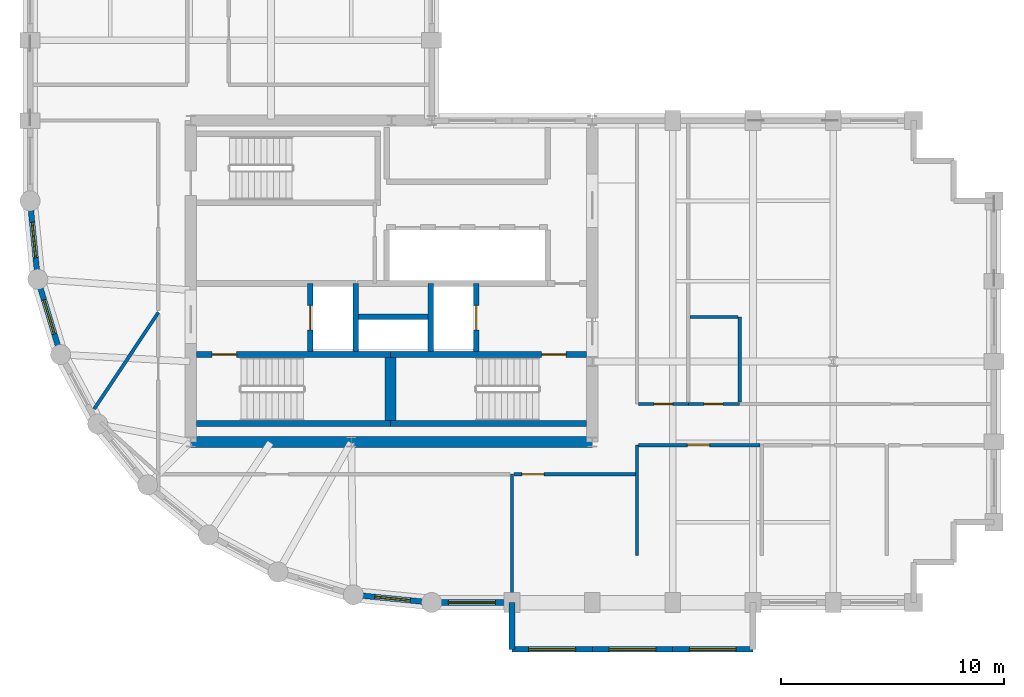
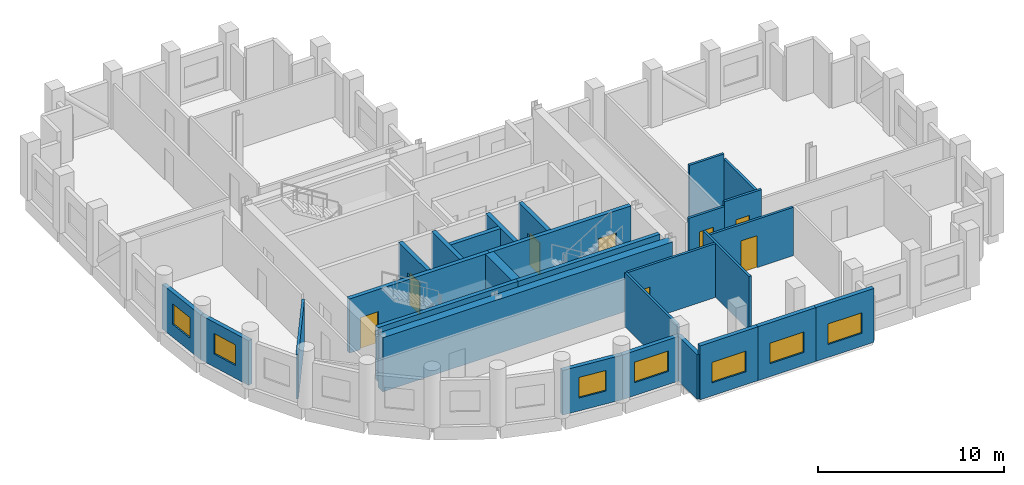
# One storey, part 3 of 7: 28 walls, 8 doors, 7 windows, 15 openings.
"""IFC4 building model written with IfcOpenShell, lengths in metres."""

from ifc_helpers import new_model, si_unit, direction, frame, frame_2d, origin, place, context, subcontext, project, spatial, rectangle, extrude, material, layer, layer_set, type_object, element, fill, save


model = new_model("IFC4")

# Units and contexts
model_context = context("Model", 3, precision=1e-05, world=origin(), true_north=direction((0.0, 1.0)))
body_context = subcontext(model_context, "Body", "Model", "MODEL_VIEW")
ifc_project = project(units=[si_unit("LENGTHUNIT", "METRE"), si_unit("AREAUNIT", "SQUARE_METRE"), si_unit("VOLUMEUNIT", "CUBIC_METRE"), si_unit("PLANEANGLEUNIT", "RADIAN"), si_unit("MASSUNIT", "GRAM", prefix="KILO")], contexts=[model_context])

# Site, building, storey
site_placement = place(None, origin())
site = spatial("IfcSite", under=ifc_project, at=site_placement, CompositionType="ELEMENT")
building_placement = place(site_placement, origin())
building = spatial("IfcBuilding", under=site, at=building_placement, Name="Solnavia Interchange Tower", CompositionType="ELEMENT")
storey_placement = place(building_placement, frame((0.0, 0.0, 201.39990234375)))
storey = spatial("IfcBuildingStorey", under=building, at=storey_placement, Name="L50", CompositionType="ELEMENT", Elevation=201.39990234375)

# Wall, opening, window
ifc_material_1 = material(Name="Concrete C40/50", Category="concrete")
ifc_layer_1 = layer(ifc_material_1, 0.25)
ifc_layer_set_1 = layer_set([ifc_layer_1], Name="Concrete C40/50")
wall_type_1 = type_object("IfcWallType", Name="Wall-ExtSpandrel-250", PredefinedType="STANDARD", material=ifc_layer_set_1)
wall_1_placement = place(storey_placement, frame((28.800048828125, 3.60009765625, 0.0), z_axis=(0.0, 0.0, 1.0), x_axis=(-1.0, 0.0, 0.0)))
wall_1 = element("IfcWall", 1, at=wall_1_placement, inside=storey, type_object=wall_type_1, Name="EXW-L50-01 Exterior precast spandrel wall", PredefinedType="STANDARD", context=body_context, shape_type="SweptSolid", body=[
    extrude(rectangle(XDim=3.60009765625, YDim=0.25, at=frame_2d((1.800048828125, 0.0))), origin(), (0.0, 0.0, 1.0), 2.93017578125),
])
opening_1_placement = place(wall_1_placement, frame((0.75, 0.0, 0.85009765625)))
opening_1 = element("IfcOpeningElement", 2, at=opening_1_placement, cuts=wall_1, Name="Opening WIN-01", PredefinedType="OPENING", context=body_context, shape_type="SweptSolid", body=[
    extrude(rectangle(XDim=2.10009765625, YDim=1.35009765625, at=frame_2d((1.050048828125, 0.675048828125))), frame((0.0, 0.135009765625, 0.0), z_axis=(0.0, -1.0, 0.0), x_axis=(1.0, 0.0, 0.0)), (0.0, 0.0, 1.0), 0.27001953125),
])
ifc_material_2 = material(Name="Thermal-Break Aluminium & Low-E Glass", Category="aluminium")
window_type_1 = type_object("IfcWindowType", Name="Window-Ribbon-2100x1350", PartitioningType="SINGLE_PANEL", PredefinedType="WINDOW", material=ifc_material_2)
window_1_placement = place(opening_1_placement, origin())
window_1 = element("IfcWindow", 3, at=window_1_placement, inside=storey, type_object=window_type_1, Name="WIN-L50-01 Facade ribbon window", OverallHeight=1.35009765625, OverallWidth=2.10009765625, PartitioningType="SINGLE_PANEL", PredefinedType="WINDOW", context=body_context, shape_type="SweptSolid", body=[
    extrude(rectangle(XDim=2.10009765625, YDim=1.35009765625, at=frame_2d((1.050048828125, 0.675048828125))), frame((0.0, 0.030029296875, 0.0), z_axis=(0.0, -1.0, 0.0), x_axis=(1.0, 0.0, 0.0)), (0.0, 0.0, 1.0), 0.06005859375),
])
fill(opening_1, window_1)

# Wall
wall_2_placement = place(storey_placement, frame((28.800048828125, 3.60009765625, 0.0), z_axis=(0.0, 0.0, 1.0), x_axis=(0.0, -1.0, 0.0)))
element("IfcWall", 4, at=wall_2_placement, inside=storey, type_object=wall_type_1, Name="EXW-L50-02 Exterior precast spandrel wall", PredefinedType="STANDARD", context=body_context, shape_type="SweptSolid", body=[
    extrude(rectangle(XDim=2.10009765625, YDim=0.25, at=frame_2d((1.050048828125, 0.0))), origin(), (0.0, 0.0, 1.0), 2.93017578125),
])

# Wall, opening, window
wall_3_placement = place(storey_placement, frame((32.39990234375, 1.5, 0.0), z_axis=(0.0, 0.0, 1.0), x_axis=(-1.0, 0.0, 0.0)))
wall_3 = element("IfcWall", 5, at=wall_3_placement, inside=storey, type_object=wall_type_1, Name="EXW-L50-03 Exterior precast spandrel wall", PredefinedType="STANDARD", context=body_context, shape_type="SweptSolid", body=[
    extrude(rectangle(XDim=3.599853515625, YDim=0.25, at=frame_2d((1.7998046875, 0.0))), origin(), (0.0, 0.0, 1.0), 3.53515625),
])
opening_2_placement = place(wall_3_placement, frame((0.75, 0.0, 0.85009765625)))
opening_2 = element("IfcOpeningElement", 6, at=opening_2_placement, cuts=wall_3, Name="Opening WIN-01", PredefinedType="OPENING", context=body_context, shape_type="SweptSolid", body=[
    extrude(rectangle(XDim=2.10009765625, YDim=1.35009765625, at=frame_2d((1.050048828125, 0.675048828125))), frame((0.0, 0.135009765625, 0.0), z_axis=(0.0, -1.0, 0.0), x_axis=(1.0, 0.0, 0.0)), (0.0, 0.0, 1.0), 0.27001953125),
])
window_2_placement = place(opening_2_placement, origin())
window_2 = element("IfcWindow", 7, at=window_2_placement, inside=storey, type_object=window_type_1, Name="WIN-L50-03 Facade ribbon window", OverallHeight=1.35009765625, OverallWidth=2.10009765625, PartitioningType="SINGLE_PANEL", PredefinedType="WINDOW", context=body_context, shape_type="SweptSolid", body=[
    extrude(rectangle(XDim=2.10009765625, YDim=1.35009765625, at=frame_2d((1.050048828125, 0.675048828125))), frame((0.0, 0.030029296875, 0.0), z_axis=(0.0, -1.0, 0.0), x_axis=(1.0, 0.0, 0.0)), (0.0, 0.0, 1.0), 0.06005859375),
])
fill(opening_2, window_2)

wall_4_placement = place(storey_placement, frame((36.0, 1.5, 0.0), z_axis=(0.0, 0.0, 1.0), x_axis=(-1.0, 0.0, 0.0)))
wall_4 = element("IfcWall", 8, at=wall_4_placement, inside=storey, type_object=wall_type_1, Name="EXW-L50-04 Exterior precast spandrel wall", PredefinedType="STANDARD", context=body_context, shape_type="SweptSolid", body=[
    extrude(rectangle(XDim=3.60009765625, YDim=0.25, at=frame_2d((1.800048828125, 0.0))), origin(), (0.0, 0.0, 1.0), 3.53515625),
])
opening_3_placement = place(wall_4_placement, frame((0.75, 0.0, 0.85009765625)))
opening_3 = element("IfcOpeningElement", 9, at=opening_3_placement, cuts=wall_4, Name="Opening WIN-01", PredefinedType="OPENING", context=body_context, shape_type="SweptSolid", body=[
    extrude(rectangle(XDim=2.10009765625, YDim=1.35009765625, at=frame_2d((1.050048828125, 0.675048828125))), frame((0.0, 0.135009765625, 0.0), z_axis=(0.0, -1.0, 0.0), x_axis=(1.0, 0.0, 0.0)), (0.0, 0.0, 1.0), 0.27001953125),
])
window_3_placement = place(opening_3_placement, origin())
window_3 = element("IfcWindow", 10, at=window_3_placement, inside=storey, type_object=window_type_1, Name="WIN-L50-04 Facade ribbon window", OverallHeight=1.35009765625, OverallWidth=2.10009765625, PartitioningType="SINGLE_PANEL", PredefinedType="WINDOW", context=body_context, shape_type="SweptSolid", body=[
    extrude(rectangle(XDim=2.10009765625, YDim=1.35009765625, at=frame_2d((1.050048828125, 0.675048828125))), frame((0.0, 0.030029296875, 0.0), z_axis=(0.0, -1.0, 0.0), x_axis=(1.0, 0.0, 0.0)), (0.0, 0.0, 1.0), 0.06005859375),
])
fill(opening_3, window_3)

wall_5_placement = place(storey_placement, frame((39.60009765625, 1.5, 0.0), z_axis=(0.0, 0.0, 1.0), x_axis=(-1.0, 0.0, 0.0)))
wall_5 = element("IfcWall", 11, at=wall_5_placement, inside=storey, type_object=wall_type_1, Name="EXW-L50-05 Exterior precast spandrel wall", PredefinedType="STANDARD", context=body_context, shape_type="SweptSolid", body=[
    extrude(rectangle(XDim=3.60009765625, YDim=0.25, at=frame_2d((1.800048828125, 0.0))), origin(), (0.0, 0.0, 1.0), 3.53515625),
])
opening_4_placement = place(wall_5_placement, frame((0.75, 0.0, 0.85009765625)))
opening_4 = element("IfcOpeningElement", 12, at=opening_4_placement, cuts=wall_5, Name="Opening WIN-01", PredefinedType="OPENING", context=body_context, shape_type="SweptSolid", body=[
    extrude(rectangle(XDim=2.10009765625, YDim=1.35009765625, at=frame_2d((1.050048828125, 0.675048828125))), frame((0.0, 0.135009765625, 0.0), z_axis=(0.0, -1.0, 0.0), x_axis=(1.0, 0.0, 0.0)), (0.0, 0.0, 1.0), 0.27001953125),
])
window_4_placement = place(opening_4_placement, origin())
window_4 = element("IfcWindow", 13, at=window_4_placement, inside=storey, type_object=window_type_1, Name="WIN-L50-05 Facade ribbon window", OverallHeight=1.35009765625, OverallWidth=2.10009765625, PartitioningType="SINGLE_PANEL", PredefinedType="WINDOW", context=body_context, shape_type="SweptSolid", body=[
    extrude(rectangle(XDim=2.10009765625, YDim=1.35009765625, at=frame_2d((1.050048828125, 0.675048828125))), frame((0.0, 0.030029296875, 0.0), z_axis=(0.0, -1.0, 0.0), x_axis=(1.0, 0.0, 0.0)), (0.0, 0.0, 1.0), 0.06005859375),
])
fill(opening_4, window_4)

wall_6_placement = place(storey_placement, frame((7.5458984375, 18.087890625, 0.0), z_axis=(0.0, 0.0, 1.0), x_axis=(-0.09802417461, 0.995184033831, 0.0)))
wall_6 = element("IfcWall", 14, at=wall_6_placement, inside=storey, type_object=wall_type_1, Name="EXW-L50-45 Exterior precast spandrel wall", PredefinedType="STANDARD", context=body_context, shape_type="SweptSolid", body=[
    extrude(rectangle(XDim=3.529296875, YDim=0.25, at=frame_2d((1.7646484375, 0.0))), origin(), (0.0, 0.0, 1.0), 2.93017578125),
])
opening_5_placement = place(wall_6_placement, frame((0.965087890625, 0.0, 0.85009765625)))
opening_5 = element("IfcOpeningElement", 15, at=opening_5_placement, cuts=wall_6, Name="Opening WIN-04", PredefinedType="OPENING", context=body_context, shape_type="SweptSolid", body=[
    extrude(rectangle(XDim=1.60009765625, YDim=1.35009765625, at=frame_2d((0.800048828125, 0.675048828125))), frame((0.0, 0.135009765625, 0.0), z_axis=(0.0, -1.0, 0.0), x_axis=(1.0, 0.0, 0.0)), (0.0, 0.0, 1.0), 0.27001953125),
])
window_type_2 = type_object("IfcWindowType", Name="Window-Drum-1600x1350", PartitioningType="SINGLE_PANEL", PredefinedType="WINDOW", material=ifc_material_2)
window_5_placement = place(opening_5_placement, origin())
window_5 = element("IfcWindow", 16, at=window_5_placement, inside=storey, type_object=window_type_2, Name="WIN-L50-45 Facade ribbon window", OverallHeight=1.35009765625, OverallWidth=1.60009765625, PartitioningType="SINGLE_PANEL", PredefinedType="WINDOW", context=body_context, shape_type="SweptSolid", body=[
    extrude(rectangle(XDim=1.60009765625, YDim=1.35009765625, at=frame_2d((0.800048828125, 0.675048828125))), frame((0.0, 0.030029296875, 0.0), z_axis=(0.0, -1.0, 0.0), x_axis=(1.0, 0.0, 0.0)), (0.0, 0.0, 1.0), 0.06005859375),
])
fill(opening_5, window_5)

wall_7_placement = place(storey_placement, frame((8.570068359375, 14.7119140625, 0.0), z_axis=(0.0, 0.0, 1.0), x_axis=(-0.290305086481, 0.956934144423, 0.0)))
wall_7 = element("IfcWall", 17, at=wall_7_placement, inside=storey, type_object=wall_type_1, Name="EXW-L50-46 Exterior precast spandrel wall", PredefinedType="STANDARD", context=body_context, shape_type="SweptSolid", body=[
    extrude(rectangle(XDim=3.52783203125, YDim=0.25, at=frame_2d((1.763916015625, 0.0))), origin(), (0.0, 0.0, 1.0), 2.93017578125),
])
opening_6_placement = place(wall_7_placement, frame((0.964111328125, 0.0, 0.85009765625)))
opening_6 = element("IfcOpeningElement", 18, at=opening_6_placement, cuts=wall_7, Name="Opening WIN-04", PredefinedType="OPENING", context=body_context, shape_type="SweptSolid", body=[
    extrude(rectangle(XDim=1.60009765625, YDim=1.35009765625, at=frame_2d((0.800048828125, 0.675048828125))), frame((0.0, 0.135009765625, 0.0), z_axis=(0.0, -1.0, 0.0), x_axis=(1.0, 0.0, 0.0)), (0.0, 0.0, 1.0), 0.27001953125),
])
window_6_placement = place(opening_6_placement, origin())
window_6 = element("IfcWindow", 19, at=window_6_placement, inside=storey, type_object=window_type_2, Name="WIN-L50-46 Facade ribbon window", OverallHeight=1.35009765625, OverallWidth=1.60009765625, PartitioningType="SINGLE_PANEL", PredefinedType="WINDOW", context=body_context, shape_type="SweptSolid", body=[
    extrude(rectangle(XDim=1.60009765625, YDim=1.35009765625, at=frame_2d((0.800048828125, 0.675048828125))), frame((0.0, 0.030029296875, 0.0), z_axis=(0.0, -1.0, 0.0), x_axis=(1.0, 0.0, 0.0)), (0.0, 0.0, 1.0), 0.06005859375),
])
fill(opening_6, window_6)

wall_8_placement = place(storey_placement, frame((25.199951171875, 3.60009765625, 0.0), z_axis=(0.0, 0.0, 1.0), x_axis=(-0.995183369056, 0.098030923459, 0.0)))
wall_8 = element("IfcWall", 20, at=wall_8_placement, inside=storey, type_object=wall_type_1, Name="EXW-L50-52 Exterior precast spandrel wall", PredefinedType="STANDARD", context=body_context, shape_type="SweptSolid", body=[
    extrude(rectangle(XDim=3.529052734375, YDim=0.25, at=frame_2d((1.7646484375, 0.0))), origin(), (0.0, 0.0, 1.0), 2.93017578125),
])
opening_7_placement = place(wall_8_placement, frame((0.965087890625, 0.0, 0.85009765625)))
opening_7 = element("IfcOpeningElement", 21, at=opening_7_placement, cuts=wall_8, Name="Opening WIN-04", PredefinedType="OPENING", context=body_context, shape_type="SweptSolid", body=[
    extrude(rectangle(XDim=1.60009765625, YDim=1.35009765625, at=frame_2d((0.800048828125, 0.675048828125))), frame((0.0, 0.135009765625, 0.0), z_axis=(0.0, -1.0, 0.0), x_axis=(1.0, 0.0, 0.0)), (0.0, 0.0, 1.0), 0.27001953125),
])
window_7_placement = place(opening_7_placement, origin())
window_7 = element("IfcWindow", 22, at=window_7_placement, inside=storey, type_object=window_type_2, Name="WIN-L50-52 Facade ribbon window", OverallHeight=1.35009765625, OverallWidth=1.60009765625, PartitioningType="SINGLE_PANEL", PredefinedType="WINDOW", context=body_context, shape_type="SweptSolid", body=[
    extrude(rectangle(XDim=1.60009765625, YDim=1.35009765625, at=frame_2d((0.800048828125, 0.675048828125))), frame((0.0, 0.030029296875, 0.0), z_axis=(0.0, -1.0, 0.0), x_axis=(1.0, 0.0, 0.0)), (0.0, 0.0, 1.0), 0.06005859375),
])
fill(opening_7, window_7)

# Walls
ifc_material_3 = material(Name="Gypsum Plasterboard & Steel Stud", Category="steel")
ifc_layer_2 = layer(ifc_material_3, 0.14990234375)
ifc_layer_set_2 = layer_set([ifc_layer_2], Name="Gypsum Plasterboard & Steel Stud")
wall_type_2 = type_object("IfcWallType", Name="Wall-Partition-150", PredefinedType="PARTITIONING", material=ifc_layer_set_2)
wall_9_placement = place(storey_placement, frame((28.800048828125, 9.35009765625, 0.0), z_axis=(0.0, 0.0, 1.0), x_axis=(0.0, -1.0, 0.0)))
element("IfcWall", 23, at=wall_9_placement, inside=storey, type_object=wall_type_2, Name="PTW-L50-08 Interior partition wall", PredefinedType="PARTITIONING", context=body_context, shape_type="SweptSolid", body=[
    extrude(rectangle(XDim=5.62109375, YDim=0.14990234375, at=frame_2d((2.810546875, 0.0))), origin(), (0.0, 0.0, 1.0), 3.53515625),
])
wall_10_placement = place(storey_placement, frame((12.949951171875, 16.60009765625, 0.0), z_axis=(0.0, 0.0, 1.0), x_axis=(-0.553277952429, -0.832996703088, 0.0)))
element("IfcWall", 24, at=wall_10_placement, inside=storey, type_object=wall_type_2, Name="PTW-L50-10 Interior partition wall", PredefinedType="PARTITIONING", context=body_context, shape_type="SweptSolid", body=[
    extrude(rectangle(XDim=5.1923828125, YDim=0.14990234375, at=frame_2d((2.59619140625, 0.0))), origin(), (0.0, 0.0, 1.0), 2.93017578125),
])

# Wall, opening, door
wall_11_placement = place(storey_placement, frame((28.87890625, 9.35009765625, 0.0), z_axis=(0.0, 0.0, 1.0), x_axis=(1.0, 0.0, 0.0)))
wall_11 = element("IfcWall", 25, at=wall_11_placement, inside=storey, type_object=wall_type_2, Name="PTW-L50-14 Interior partition wall", PredefinedType="PARTITIONING", context=body_context, shape_type="SweptSolid", body=[
    extrude(rectangle(XDim=5.52099609375, YDim=0.14990234375, at=frame_2d((2.760498046875, 0.0))), origin(), (0.0, 0.0, 1.0), 3.53515625),
])
opening_8_placement = place(wall_11_placement, frame((0.360107421875, 0.0, 0.0)))
opening_8 = element("IfcOpeningElement", 26, at=opening_8_placement, cuts=wall_11, Name="Opening DR-07", PredefinedType="OPENING", context=body_context, shape_type="SweptSolid", body=[
    extrude(rectangle(XDim=1.0, YDim=2.10009765625, at=frame_2d((0.5, 1.050048828125))), frame((0.0, 0.0849609375, 0.0), z_axis=(0.0, -1.0, 0.0), x_axis=(1.0, 0.0, 0.0)), (0.0, 0.0, 1.0), 0.169921875),
])
ifc_material_4 = material(Name="Timber & Acoustic Glazed Office Door", Category="wood")
door_type_1 = type_object("IfcDoorType", Name="Door-Office-1000x2100", OperationType="SINGLE_SWING_RIGHT", PredefinedType="DOOR", material=ifc_material_4)
door_1_placement = place(opening_8_placement, origin())
door_1 = element("IfcDoor", 27, at=door_1_placement, inside=storey, type_object=door_type_1, Name="DR-L50-06 Interior room door", OperationType="SINGLE_SWING_LEFT", OverallHeight=2.10009765625, OverallWidth=1.0, PredefinedType="DOOR", context=body_context, shape_type="SweptSolid", body=[
    extrude(rectangle(XDim=1.0, YDim=2.10009765625, at=frame_2d((0.5, 1.050048828125))), frame((0.0, 0.02490234375, 0.0), z_axis=(0.0, -1.0, 0.0), x_axis=(1.0, 0.0, 0.0)), (0.0, 0.0, 1.0), 0.050048828125),
])
fill(opening_8, door_1)

# Wall
wall_12_placement = place(storey_placement, frame((34.39990234375, 5.699951171875, 0.0), z_axis=(0.0, 0.0, 1.0), x_axis=(0.0, 1.0, 0.0)))
element("IfcWall", 28, at=wall_12_placement, inside=storey, type_object=wall_type_2, Name="PTW-L50-15 Interior partition wall", PredefinedType="PARTITIONING", context=body_context, shape_type="SweptSolid", body=[
    extrude(rectangle(XDim=4.949951171875, YDim=0.14990234375, at=frame_2d((2.47509765625, 0.0))), origin(), (0.0, 0.0, 1.0), 3.53515625),
])

# Wall, opening, door
wall_13_placement = place(storey_placement, frame((34.47900390625, 10.64990234375, 0.0), z_axis=(0.0, 0.0, 1.0), x_axis=(1.0, 0.0, 0.0)))
wall_13 = element("IfcWall", 29, at=wall_13_placement, inside=storey, type_object=wall_type_2, Name="PTW-L50-17 Interior partition wall", PredefinedType="PARTITIONING", context=body_context, shape_type="SweptSolid", body=[
    extrude(rectangle(XDim=5.44189453125, YDim=0.14990234375, at=frame_2d((2.720947265625, 0.0))), origin(), (0.0, 0.0, 1.0), 3.170166015625),
])
opening_9_placement = place(wall_13_placement, frame((2.180908203125, 0.0, 0.0)))
opening_9 = element("IfcOpeningElement", 30, at=opening_9_placement, cuts=wall_13, Name="Opening DR-07", PredefinedType="OPENING", context=body_context, shape_type="SweptSolid", body=[
    extrude(rectangle(XDim=1.0, YDim=2.10009765625, at=frame_2d((0.5, 1.050048828125))), frame((0.0, 0.0849609375, 0.0), z_axis=(0.0, -1.0, 0.0), x_axis=(1.0, 0.0, 0.0)), (0.0, 0.0, 1.0), 0.169921875),
])
door_2_placement = place(opening_9_placement, origin())
door_2 = element("IfcDoor", 31, at=door_2_placement, inside=storey, type_object=door_type_1, Name="DR-L50-07 Interior room door", OperationType="SINGLE_SWING_LEFT", OverallHeight=2.10009765625, OverallWidth=1.0, PredefinedType="DOOR", context=body_context, shape_type="SweptSolid", body=[
    extrude(rectangle(XDim=1.0, YDim=2.10009765625, at=frame_2d((0.5, 1.050048828125))), frame((0.0, 0.02490234375, 0.0), z_axis=(0.0, -1.0, 0.0), x_axis=(1.0, 0.0, 0.0)), (0.0, 0.0, 1.0), 0.050048828125),
])
fill(opening_9, door_2)

# Wall
ifc_layer_3 = layer(ifc_material_1, 0.25)
ifc_layer_set_3 = layer_set([ifc_layer_3], Name="Concrete C40/50")
wall_type_3 = type_object("IfcWallType", Name="Wall-ShaftCore-250", PredefinedType="SHEAR", material=ifc_layer_set_3)
wall_14_placement = place(storey_placement, frame((14.64990234375, 11.625, 0.0), z_axis=(0.0, 0.0, 1.0), x_axis=(1.0, 0.0, 0.0)))
element("IfcWall", 32, at=wall_14_placement, inside=storey, type_object=wall_type_3, Name="SHW-L50-ST1S Core shear wall", PredefinedType="SHEAR", context=body_context, shape_type="SweptSolid", body=[
    extrude(rectangle(XDim=8.7001953125, YDim=0.25, at=frame_2d((4.35009765625, 0.0))), origin(), (0.0, 0.0, 1.0), 3.550048828125),
])

# Wall, opening, door
wall_15_placement = place(storey_placement, frame((14.64990234375, 14.715087890625, 0.0), z_axis=(0.0, 0.0, 1.0), x_axis=(1.0, 0.0, 0.0)))
wall_15 = element("IfcWall", 33, at=wall_15_placement, inside=storey, type_object=wall_type_3, Name="SHW-L50-ST1N Core shear wall", PredefinedType="SHEAR", context=body_context, shape_type="SweptSolid", body=[
    extrude(rectangle(XDim=8.7001953125, YDim=0.25, at=frame_2d((4.35009765625, 0.0))), origin(), (0.0, 0.0, 1.0), 3.550048828125),
])
opening_10_placement = place(wall_15_placement, frame((0.705078125, 0.0, 0.0)))
opening_10 = element("IfcOpeningElement", 34, at=opening_10_placement, cuts=wall_15, Name="Opening DR-01", PredefinedType="OPENING", context=body_context, shape_type="SweptSolid", body=[
    extrude(rectangle(XDim=1.10009765625, YDim=2.10009765625, at=frame_2d((0.550048828125, 1.050048828125))), frame((0.0, 0.135009765625, 0.0), z_axis=(0.0, -1.0, 0.0), x_axis=(1.0, 0.0, 0.0)), (0.0, 0.0, 1.0), 0.27001953125),
])
ifc_material_5 = material(Name="Steel Fire-Rated Leaf & Frame", Category="steel")
door_type_2 = type_object("IfcDoorType", Name="Door-StairFire-1100x2100", OperationType="SINGLE_SWING_LEFT", PredefinedType="DOOR", material=ifc_material_5)
door_3_placement = place(opening_10_placement, origin())
door_3 = element("IfcDoor", 35, at=door_3_placement, inside=storey, type_object=door_type_2, Name="DR-L50-ST1 Core fire door", OperationType="SINGLE_SWING_LEFT", OverallHeight=2.10009765625, OverallWidth=1.10009765625, PredefinedType="DOOR", context=body_context, shape_type="SweptSolid", body=[
    extrude(rectangle(XDim=1.10009765625, YDim=2.10009765625, at=frame_2d((0.550048828125, 1.050048828125))), frame((0.0, 0.02490234375, 0.0), z_axis=(0.0, -1.0, 0.0), x_axis=(1.0, 0.0, 0.0)), (0.0, 0.0, 1.0), 0.050048828125),
])
fill(opening_10, door_3)

# Wall
wall_16_placement = place(storey_placement, frame((23.35009765625, 11.625, 0.0), z_axis=(0.0, 0.0, 1.0), x_axis=(1.0, 0.0, 0.0)))
element("IfcWall", 36, at=wall_16_placement, inside=storey, type_object=wall_type_3, Name="SHW-L50-ST2S Core shear wall", PredefinedType="SHEAR", context=body_context, shape_type="SweptSolid", body=[
    extrude(rectangle(XDim=8.7998046875, YDim=0.25, at=frame_2d((4.39990234375, 0.0))), origin(), (0.0, 0.0, 1.0), 3.550048828125),
])

# Wall, opening, door
wall_17_placement = place(storey_placement, frame((23.35009765625, 14.715087890625, 0.0), z_axis=(0.0, 0.0, 1.0), x_axis=(1.0, 0.0, 0.0)))
wall_17 = element("IfcWall", 37, at=wall_17_placement, inside=storey, type_object=wall_type_3, Name="SHW-L50-ST2N Core shear wall", PredefinedType="SHEAR", context=body_context, shape_type="SweptSolid", body=[
    extrude(rectangle(XDim=8.7998046875, YDim=0.25, at=frame_2d((4.39990234375, 0.0))), origin(), (0.0, 0.0, 1.0), 3.550048828125),
])
opening_11_placement = place(wall_17_placement, frame((6.77490234375, 0.0, 0.0)))
opening_11 = element("IfcOpeningElement", 38, at=opening_11_placement, cuts=wall_17, Name="Opening DR-01", PredefinedType="OPENING", context=body_context, shape_type="SweptSolid", body=[
    extrude(rectangle(XDim=1.10009765625, YDim=2.10009765625, at=frame_2d((0.550048828125, 1.050048828125))), frame((0.0, 0.135009765625, 0.0), z_axis=(0.0, -1.0, 0.0), x_axis=(1.0, 0.0, 0.0)), (0.0, 0.0, 1.0), 0.27001953125),
])
door_4_placement = place(opening_11_placement, origin())
door_4 = element("IfcDoor", 39, at=door_4_placement, inside=storey, type_object=door_type_2, Name="DR-L50-ST2 Core fire door", OperationType="SINGLE_SWING_LEFT", OverallHeight=2.10009765625, OverallWidth=1.10009765625, PredefinedType="DOOR", context=body_context, shape_type="SweptSolid", body=[
    extrude(rectangle(XDim=1.10009765625, YDim=2.10009765625, at=frame_2d((0.550048828125, 1.050048828125))), frame((0.0, 0.02490234375, 0.0), z_axis=(0.0, -1.0, 0.0), x_axis=(1.0, 0.0, 0.0)), (0.0, 0.0, 1.0), 0.050048828125),
])
fill(opening_11, door_4)

ifc_layer_4 = layer(ifc_material_1, 0.25)
ifc_layer_set_4 = layer_set([ifc_layer_4], Name="Concrete C40/50")
wall_type_4 = type_object("IfcWallType", Name="Wall-ShaftPart-250", PredefinedType="PARTITIONING", material=ifc_layer_set_4)
wall_18_placement = place(storey_placement, frame((19.75, 14.840087890625, 0.0), z_axis=(0.0, 0.0, 1.0), x_axis=(0.0, 1.0, 0.0)))
wall_18 = element("IfcWall", 40, at=wall_18_placement, inside=storey, type_object=wall_type_4, Name="SHW-L50-FFL1-W Core shaft wall", PredefinedType="PARTITIONING", context=body_context, shape_type="SweptSolid", body=[
    extrude(rectangle(XDim=3.059814453125, YDim=0.25, at=frame_2d((1.52978515625, 0.0))), origin(), (0.0, 0.0, 1.0), 3.53515625),
])
opening_12_placement = place(wall_18_placement, frame((0.97998046875, 0.0, 0.0)))
opening_12 = element("IfcOpeningElement", 41, at=opening_12_placement, cuts=wall_18, Name="Opening LD-01", PredefinedType="OPENING", context=body_context, shape_type="SweptSolid", body=[
    extrude(rectangle(XDim=1.10009765625, YDim=2.10009765625, at=frame_2d((0.550048828125, 1.050048828125))), frame((0.0, 0.135009765625, 0.0), z_axis=(0.0, -1.0, 0.0), x_axis=(1.0, 0.0, 0.0)), (0.0, 0.0, 1.0), 0.27001953125),
])
ifc_material_6 = material(Name="Brushed Stainless Steel Sliding Door", Category="steel")
door_type_3 = type_object("IfcDoorType", Name="Door-LiftLanding-1100x2100", OperationType="SLIDING_TO_LEFT", PredefinedType="DOOR", material=ifc_material_6)
door_5_placement = place(opening_12_placement, origin())
door_5 = element("IfcDoor", 42, at=door_5_placement, inside=storey, type_object=door_type_3, Name="LD-L50-FFL1 Lift landing sliding door", OperationType="SLIDING_TO_LEFT", OverallHeight=2.10009765625, OverallWidth=1.10009765625, PredefinedType="DOOR", context=body_context, shape_type="SweptSolid", body=[
    extrude(rectangle(XDim=1.10009765625, YDim=2.10009765625, at=frame_2d((0.550048828125, 1.050048828125))), frame((0.0, 0.02490234375, 0.0), z_axis=(0.0, -1.0, 0.0), x_axis=(1.0, 0.0, 0.0)), (0.0, 0.0, 1.0), 0.050048828125),
])
fill(opening_12, door_5)

# Walls
for number, where, z_axis, x_axis, name in (
    (43, (21.800048828125, 14.840087890625, 0.0), (0.0, 0.0, 1.0), (0.0, 1.0, 0.0), "SHW-L50-FFL1-E Core shaft wall"),
    (44, (25.14990234375, 14.840087890625, 0.0), (0.0, 0.0, 1.0), (0.0, 1.0, 0.0), "SHW-L50-FFL2-W Core shaft wall"),
):
    element("IfcWall", number, at=place(storey_placement, frame(where, z_axis=z_axis, x_axis=x_axis)), inside=storey, type_object=wall_type_4, Name=name, PredefinedType="PARTITIONING", context=body_context, shape_type="SweptSolid", body=[
        extrude(rectangle(XDim=3.059814453125, YDim=0.25, at=frame_2d((1.52978515625, 0.0))), origin(), (0.0, 0.0, 1.0), 3.53515625),
    ])

# Wall, opening, door
wall_19_placement = place(storey_placement, frame((27.199951171875, 14.840087890625, 0.0), z_axis=(0.0, 0.0, 1.0), x_axis=(0.0, 1.0, 0.0)))
wall_19 = element("IfcWall", 45, at=wall_19_placement, inside=storey, type_object=wall_type_4, Name="SHW-L50-FFL2-E Core shaft wall", PredefinedType="PARTITIONING", context=body_context, shape_type="SweptSolid", body=[
    extrude(rectangle(XDim=3.059814453125, YDim=0.25, at=frame_2d((1.52978515625, 0.0))), origin(), (0.0, 0.0, 1.0), 3.53515625),
])
opening_13_placement = place(wall_19_placement, frame((0.97998046875, 0.0, 0.0)))
opening_13 = element("IfcOpeningElement", 46, at=opening_13_placement, cuts=wall_19, Name="Opening LD-01", PredefinedType="OPENING", context=body_context, shape_type="SweptSolid", body=[
    extrude(rectangle(XDim=1.10009765625, YDim=2.10009765625, at=frame_2d((0.550048828125, 1.050048828125))), frame((0.0, 0.135009765625, 0.0), z_axis=(0.0, -1.0, 0.0), x_axis=(1.0, 0.0, 0.0)), (0.0, 0.0, 1.0), 0.27001953125),
])
door_6_placement = place(opening_13_placement, origin())
door_6 = element("IfcDoor", 47, at=door_6_placement, inside=storey, type_object=door_type_3, Name="LD-L50-FFL2 Lift landing sliding door", OperationType="SLIDING_TO_LEFT", OverallHeight=2.10009765625, OverallWidth=1.10009765625, PredefinedType="DOOR", context=body_context, shape_type="SweptSolid", body=[
    extrude(rectangle(XDim=1.10009765625, YDim=2.10009765625, at=frame_2d((0.550048828125, 1.050048828125))), frame((0.0, 0.02490234375, 0.0), z_axis=(0.0, -1.0, 0.0), x_axis=(1.0, 0.0, 0.0)), (0.0, 0.0, 1.0), 0.050048828125),
])
fill(opening_13, door_6)

# Walls
wall_20_placement = place(storey_placement, frame((21.800048828125, 16.39990234375, 0.0), z_axis=(0.0, 0.0, 1.0), x_axis=(1.0, 0.0, 0.0)))
element("IfcWall", 48, at=wall_20_placement, inside=storey, type_object=wall_type_4, Name="SHW-L50-MEP-N Core shaft wall", PredefinedType="PARTITIONING", context=body_context, shape_type="SweptSolid", body=[
    extrude(rectangle(XDim=3.349853515625, YDim=0.25, at=frame_2d((1.6748046875, 0.0))), origin(), (0.0, 0.0, 1.0), 3.53515625),
])
ifc_material_7 = material(Name="Concrete C60/75", Category="concrete")
ifc_layer_5 = layer(ifc_material_7, 0.5)
ifc_layer_set_5 = layer_set([ifc_layer_5], Name="Concrete C60/75")
wall_type_5 = type_object("IfcWallType", Name="Wall-ShearCore-500", PredefinedType="SHEAR", material=ifc_layer_set_5)
wall_21_placement = place(storey_placement, frame((14.39990234375, 10.800048828125, 0.0), z_axis=(0.0, 0.0, 1.0), x_axis=(1.0, 0.0, 0.0)))
element("IfcWall", 49, at=wall_21_placement, inside=storey, type_object=wall_type_5, Name="CRW-L50-S Core shear wall", PredefinedType="SHEAR", context=body_context, shape_type="SweptSolid", body=[
    extrude(rectangle(XDim=18.0, YDim=0.5, at=frame_2d((9.0, 0.0))), origin(), (0.0, 0.0, 1.0), 3.550048828125),
])
wall_22_placement = place(storey_placement, frame((23.35009765625, 11.75, 0.0), z_axis=(0.0, 0.0, 1.0), x_axis=(0.0, 1.0, 0.0)))
element("IfcWall", 50, at=wall_22_placement, inside=storey, type_object=wall_type_5, Name="SHW-L50-ST12M Core shear wall", PredefinedType="SHEAR", context=body_context, shape_type="SweptSolid", body=[
    extrude(rectangle(XDim=2.840087890625, YDim=0.5, at=frame_2d((1.419921875, 0.0))), origin(), (0.0, 0.0, 1.0), 3.550048828125),
])

# Wall, opening, door
ifc_material_8 = material(Name="Moisture-Resistant Gypsum & Steel Stud", Category="steel")
ifc_layer_6 = layer(ifc_material_8, 0.14990234375)
ifc_layer_set_6 = layer_set([ifc_layer_6], Name="Moisture-Resistant Gypsum & Steel Stud")
wall_type_6 = type_object("IfcWallType", Name="Wall-WetRoom-150", PredefinedType="PARTITIONING", material=ifc_layer_set_6)
wall_23_placement = place(storey_placement, frame((34.47900390625, 12.5, 0.0), z_axis=(0.0, 0.0, 1.0), x_axis=(1.0, 0.0, 0.0)))
wall_23 = element("IfcWall", 51, at=wall_23_placement, inside=storey, type_object=wall_type_6, Name="PTW-L50-02 Interior partition wall", PredefinedType="PARTITIONING", context=body_context, shape_type="SweptSolid", body=[
    extrude(rectangle(XDim=2.220947265625, YDim=0.14990234375, at=frame_2d((1.1103515625, 0.0))), origin(), (0.0, 0.0, 1.0), 3.22021484375),
])
opening_14_placement = place(wall_23_placement, frame((0.674072265625, 0.0, 0.0)))
opening_14 = element("IfcOpeningElement", 52, at=opening_14_placement, cuts=wall_23, Name="Opening DR-10", PredefinedType="OPENING", context=body_context, shape_type="SweptSolid", body=[
    extrude(rectangle(XDim=0.85009765625, YDim=2.10009765625, at=frame_2d((0.425048828125, 1.050048828125))), frame((0.0, 0.0849609375, 0.0), z_axis=(0.0, -1.0, 0.0), x_axis=(1.0, 0.0, 0.0)), (0.0, 0.0, 1.0), 0.169921875),
])
ifc_material_9 = material(Name="Moisture-Resistant Timber Door", Category="wood")
door_type_4 = type_object("IfcDoorType", Name="Door-Bathroom-850x2100", OperationType="SINGLE_SWING_RIGHT", PredefinedType="DOOR", material=ifc_material_9)
door_7_placement = place(opening_14_placement, origin())
door_7 = element("IfcDoor", 53, at=door_7_placement, inside=storey, type_object=door_type_4, Name="DR-L50-01 Interior room door", OperationType="SINGLE_SWING_LEFT", OverallHeight=2.10009765625, OverallWidth=0.85009765625, PredefinedType="DOOR", context=body_context, shape_type="SweptSolid", body=[
    extrude(rectangle(XDim=0.85009765625, YDim=2.10009765625, at=frame_2d((0.425048828125, 1.050048828125))), frame((0.0, 0.02490234375, 0.0), z_axis=(0.0, -1.0, 0.0), x_axis=(1.0, 0.0, 0.0)), (0.0, 0.0, 1.0), 0.050048828125),
])
fill(opening_14, door_7)

wall_24_placement = place(storey_placement, frame((36.699951171875, 12.5, 0.0), z_axis=(0.0, 0.0, 1.0), x_axis=(1.0, 0.0, 0.0)))
wall_24 = element("IfcWall", 54, at=wall_24_placement, inside=storey, type_object=wall_type_6, Name="PTW-L50-04 Interior partition wall", PredefinedType="PARTITIONING", context=body_context, shape_type="SweptSolid", body=[
    extrude(rectangle(XDim=2.300048828125, YDim=0.14990234375, at=frame_2d((1.14990234375, 0.0))), origin(), (0.0, 0.0, 1.0), 3.53515625),
])
opening_15_placement = place(wall_24_placement, frame((0.697021484375, 0.0, 0.0)))
opening_15 = element("IfcOpeningElement", 55, at=opening_15_placement, cuts=wall_24, Name="Opening DR-10", PredefinedType="OPENING", context=body_context, shape_type="SweptSolid", body=[
    extrude(rectangle(XDim=0.85009765625, YDim=2.10009765625, at=frame_2d((0.425048828125, 1.050048828125))), frame((0.0, 0.0849609375, 0.0), z_axis=(0.0, -1.0, 0.0), x_axis=(1.0, 0.0, 0.0)), (0.0, 0.0, 1.0), 0.169921875),
])
door_8_placement = place(opening_15_placement, origin())
door_8 = element("IfcDoor", 56, at=door_8_placement, inside=storey, type_object=door_type_4, Name="DR-L50-02 Interior room door", OperationType="SINGLE_SWING_RIGHT", OverallHeight=2.10009765625, OverallWidth=0.85009765625, PredefinedType="DOOR", context=body_context, shape_type="SweptSolid", body=[
    extrude(rectangle(XDim=0.85009765625, YDim=2.10009765625, at=frame_2d((0.425048828125, 1.050048828125))), frame((0.0, 0.02490234375, 0.0), z_axis=(0.0, -1.0, 0.0), x_axis=(1.0, 0.0, 0.0)), (0.0, 0.0, 1.0), 0.050048828125),
])
fill(opening_15, door_8)

# Walls
wall_25_placement = place(storey_placement, frame((39.0, 12.5791015625, 0.0), z_axis=(0.0, 0.0, 1.0), x_axis=(0.0, 1.0, 0.0)))
element("IfcWall", 57, at=wall_25_placement, inside=storey, type_object=wall_type_6, Name="PTW-L50-05 Interior partition wall", PredefinedType="PARTITIONING", context=body_context, shape_type="SweptSolid", body=[
    extrude(rectangle(XDim=3.82080078125, YDim=0.14990234375, at=frame_2d((1.910400390625, 0.0))), origin(), (0.0, 0.0, 1.0), 3.170166015625),
])
wall_26_placement = place(storey_placement, frame((36.779052734375, 16.39990234375, 0.0), z_axis=(0.0, 0.0, 1.0), x_axis=(1.0, 0.0, 0.0)))
element("IfcWall", 58, at=wall_26_placement, inside=storey, type_object=wall_type_6, Name="PTW-L50-06 Interior partition wall", PredefinedType="PARTITIONING", context=body_context, shape_type="SweptSolid", body=[
    extrude(rectangle(XDim=2.141845703125, YDim=0.14990234375, at=frame_2d((1.07080078125, 0.0))), origin(), (0.0, 0.0, 1.0), 3.53515625),
])

save(model, "model.ifc")
